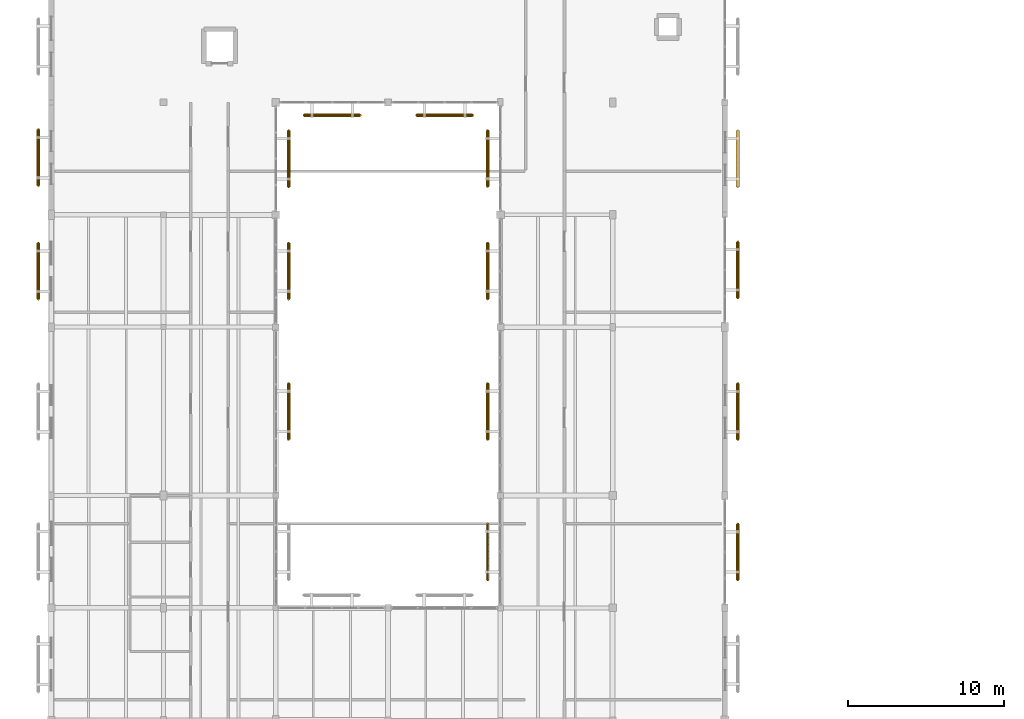
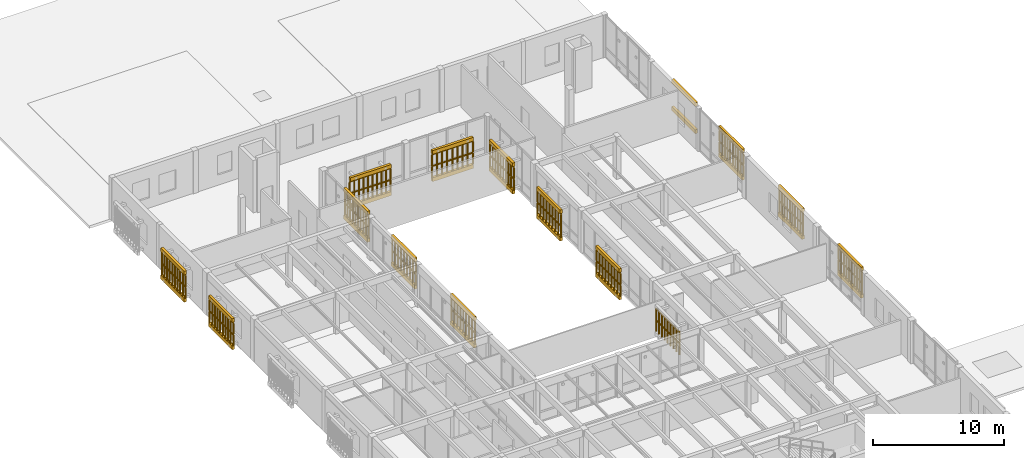
# One storey, part 58 of 61: 28 coverings, 28 railings.
"""IFC4 building model written with IfcOpenShell, lengths in metres."""

from ifc_helpers import new_model, si_unit, direction, frame, origin, origin_2d, place, context, subcontext, project, spatial, polyline, circle, outline, extrude, material, layer, layer_set, type_object, element, save


model = new_model("IFC4")

# Units and contexts
model_context = context("Model", 3, precision=1e-05, world=origin(), true_north=direction((0.0, 1.0)))
body_context = subcontext(model_context, "Body", "Model", "MODEL_VIEW")
ifc_project = project(units=[si_unit("LENGTHUNIT", "METRE"), si_unit("AREAUNIT", "SQUARE_METRE"), si_unit("VOLUMEUNIT", "CUBIC_METRE"), si_unit("PLANEANGLEUNIT", "RADIAN"), si_unit("MASSUNIT", "GRAM", prefix="KILO")], contexts=[model_context])

# Site, building, storey
site_placement = place(None, origin())
site = spatial("IfcSite", under=ifc_project, at=site_placement, CompositionType="ELEMENT")
building_placement = place(site_placement, origin())
building = spatial("IfcBuilding", under=site, at=building_placement, Name="Mazaris Harbour Polytechnic", CompositionType="ELEMENT")
storey_placement = place(building_placement, frame((0.0, 0.0, 18.0)))
storey = spatial("IfcBuildingStorey", under=building, at=storey_placement, Name="L04", CompositionType="ELEMENT", Elevation=18.0)

# Railings
ifc_material_1 = material(Name="Perforated Earth-Coloured Terracotta Block", Category="masonry")
railing_type = type_object("IfcRailingType", Name="Perforated Earth-Block Claustra Lattice 1040", PredefinedType="BALUSTRADE", material=ifc_material_1)
for number, where, name in (
    (1, (-0.820068359375, 55.784912109375, 0.52001953125), "V4 L04 Lower Perforated Terracotta Block Screen 312"),
    (2, (-0.820068359375, 55.784912109375, 1.610107421875), "V4 L04 Upper Perforated Terracotta Block Screen 312"),
    (3, (-0.820068359375, 63.06494140625, 0.52001953125), "V4 L04 Lower Perforated Terracotta Block Screen 313"),
    (4, (-0.820068359375, 63.06494140625, 1.610107421875), "V4 L04 Upper Perforated Terracotta Block Screen 313"),
):
    element("IfcRailing", number, at=place(storey_placement, frame(where)), inside=storey, type_object=railing_type, Name=name, PredefinedType="BALUSTRADE", context=body_context, shape_type="SweptSolid", body=[
        extrude(circle(Radius=0.06982421875, at=origin_2d()), frame((0.0, 0.0, 1.02001953125), z_axis=(0.0, 1.0, 0.0), x_axis=(-1.0, 0.0, 0.0)), (0.0, 0.0, 1.0), 3.60009765625),
        extrude(circle(Radius=0.074951171875, at=origin_2d()), origin(), (0.0, 0.0, 1.0), 0.9501953125),
        extrude(circle(Radius=0.074951171875, at=origin_2d()), frame((0.0, 0.39990234375, 0.0)), (0.0, 0.0, 1.0), 0.9501953125),
        extrude(circle(Radius=0.074951171875, at=origin_2d()), frame((0.0, 0.800048828125, 0.0)), (0.0, 0.0, 1.0), 0.9501953125),
        extrude(circle(Radius=0.074951171875, at=origin_2d()), frame((0.0, 1.199951171875, 0.0)), (0.0, 0.0, 1.0), 0.9501953125),
        extrude(circle(Radius=0.074951171875, at=origin_2d()), frame((0.0, 1.60009765625, 0.0)), (0.0, 0.0, 1.0), 0.9501953125),
        extrude(circle(Radius=0.074951171875, at=origin_2d()), frame((0.0, 2.0, 0.0)), (0.0, 0.0, 1.0), 0.9501953125),
        extrude(circle(Radius=0.074951171875, at=origin_2d()), frame((0.0, 2.400146484375, 0.0)), (0.0, 0.0, 1.0), 0.9501953125),
        extrude(circle(Radius=0.074951171875, at=origin_2d()), frame((0.0, 2.800048828125, 0.0)), (0.0, 0.0, 1.0), 0.9501953125),
        extrude(circle(Radius=0.074951171875, at=origin_2d()), frame((0.0, 3.2001953125, 0.0)), (0.0, 0.0, 1.0), 0.9501953125),
        extrude(circle(Radius=0.074951171875, at=origin_2d()), frame((0.0, 3.60009765625, 0.0)), (0.0, 0.0, 1.0), 0.9501953125),
    ])
for number, where, name in (
    (5, (44.02001953125, 41.385009765625, 0.52001953125), "V4 L04 Lower Perforated Terracotta Block Screen 319"),
    (6, (44.02001953125, 41.385009765625, 1.610107421875), "V4 L04 Upper Perforated Terracotta Block Screen 319"),
    (7, (44.02001953125, 50.385009765625, 0.52001953125), "V4 L04 Lower Perforated Terracotta Block Screen 320"),
    (8, (44.02001953125, 50.385009765625, 1.610107421875), "V4 L04 Upper Perforated Terracotta Block Screen 320"),
    (9, (44.02001953125, 59.465087890625, 0.52001953125), "V4 L04 Lower Perforated Terracotta Block Screen 321"),
    (10, (44.02001953125, 59.465087890625, 1.610107421875), "V4 L04 Upper Perforated Terracotta Block Screen 321"),
):
    element("IfcRailing", number, at=place(storey_placement, frame(where)), inside=storey, type_object=railing_type, Name=name, PredefinedType="BALUSTRADE", context=body_context, shape_type="SweptSolid", body=[
        extrude(circle(Radius=0.06982421875, at=origin_2d()), frame((0.0, 0.0, 1.02001953125), z_axis=(0.0, -1.0, 0.0), x_axis=(1.0, 0.0, 0.0)), (0.0, 0.0, 1.0), 3.60009765625),
        extrude(circle(Radius=0.074951171875, at=origin_2d()), origin(), (0.0, 0.0, 1.0), 0.9501953125),
        extrude(circle(Radius=0.074951171875, at=origin_2d()), frame((0.0, -0.39990234375, 0.0)), (0.0, 0.0, 1.0), 0.9501953125),
        extrude(circle(Radius=0.074951171875, at=origin_2d()), frame((0.0, -0.800048828125, 0.0)), (0.0, 0.0, 1.0), 0.9501953125),
        extrude(circle(Radius=0.074951171875, at=origin_2d()), frame((0.0, -1.199951171875, 0.0)), (0.0, 0.0, 1.0), 0.9501953125),
        extrude(circle(Radius=0.074951171875, at=origin_2d()), frame((0.0, -1.60009765625, 0.0)), (0.0, 0.0, 1.0), 0.9501953125),
        extrude(circle(Radius=0.074951171875, at=origin_2d()), frame((0.0, -2.0, 0.0)), (0.0, 0.0, 1.0), 0.9501953125),
        extrude(circle(Radius=0.074951171875, at=origin_2d()), frame((0.0, -2.400146484375, 0.0)), (0.0, 0.0, 1.0), 0.9501953125),
        extrude(circle(Radius=0.074951171875, at=origin_2d()), frame((0.0, -2.800048828125, 0.0)), (0.0, 0.0, 1.0), 0.9501953125),
        extrude(circle(Radius=0.074951171875, at=origin_2d()), frame((0.0, -3.2001953125, 0.0)), (0.0, 0.0, 1.0), 0.9501953125),
        extrude(circle(Radius=0.074951171875, at=origin_2d()), frame((0.0, -3.60009765625, 0.0)), (0.0, 0.0, 1.0), 0.9501953125),
    ])
for number, where, name in (
    (11, (19.81005859375, 67.580078125, 0.52001953125), "V4 L04 Lower Perforated Terracotta Block Screen 326"),
    (12, (19.81005859375, 67.580078125, 1.610107421875), "V4 L04 Upper Perforated Terracotta Block Screen 326"),
):
    element("IfcRailing", number, at=place(storey_placement, frame(where)), inside=storey, type_object=railing_type, Name=name, PredefinedType="BALUSTRADE", context=body_context, shape_type="SweptSolid", body=[
        extrude(circle(Radius=0.06982421875, at=origin_2d()), frame((0.0, 0.0, 1.02001953125), z_axis=(-1.0, 0.0, 0.0), x_axis=(0.0, -1.0, 0.0)), (0.0, 0.0, 1.0), 3.60009765625),
        extrude(circle(Radius=0.074951171875, at=origin_2d()), origin(), (0.0, 0.0, 1.0), 0.9501953125),
        extrude(circle(Radius=0.074951171875, at=origin_2d()), frame((-0.39990234375, 0.0, 0.0)), (0.0, 0.0, 1.0), 0.9501953125),
        extrude(circle(Radius=0.074951171875, at=origin_2d()), frame((-0.800048828125, 0.0, 0.0)), (0.0, 0.0, 1.0), 0.9501953125),
        extrude(circle(Radius=0.074951171875, at=origin_2d()), frame((-1.199951171875, 0.0, 0.0)), (0.0, 0.0, 1.0), 0.9501953125),
        extrude(circle(Radius=0.074951171875, at=origin_2d()), frame((-1.60009765625, 0.0, 0.0)), (0.0, 0.0, 1.0), 0.9501953125),
        extrude(circle(Radius=0.074951171875, at=origin_2d()), frame((-2.0, 0.0, 0.0)), (0.0, 0.0, 1.0), 0.9501953125),
        extrude(circle(Radius=0.074951171875, at=origin_2d()), frame((-2.400146484375, 0.0, 0.0)), (0.0, 0.0, 1.0), 0.9501953125),
        extrude(circle(Radius=0.074951171875, at=origin_2d()), frame((-2.800048828125, 0.0, 0.0)), (0.0, 0.0, 1.0), 0.9501953125),
        extrude(circle(Radius=0.074951171875, at=origin_2d()), frame((-3.2001953125, 0.0, 0.0)), (0.0, 0.0, 1.0), 0.9501953125),
        extrude(circle(Radius=0.074951171875, at=origin_2d()), frame((-3.60009765625, 0.0, 0.0)), (0.0, 0.0, 1.0), 0.9501953125),
    ])
for number, where, name in (
    (13, (27.02490234375, 67.580078125, 0.52001953125), "V4 L04 Lower Perforated Terracotta Block Screen 327"),
    (14, (27.02490234375, 67.580078125, 1.610107421875), "V4 L04 Upper Perforated Terracotta Block Screen 327"),
):
    element("IfcRailing", number, at=place(storey_placement, frame(where)), inside=storey, type_object=railing_type, Name=name, PredefinedType="BALUSTRADE", context=body_context, shape_type="SweptSolid", body=[
        extrude(circle(Radius=0.06982421875, at=origin_2d()), frame((0.0, 0.0, 1.02001953125), z_axis=(-1.0, 0.0, 0.0), x_axis=(0.0, -1.0, 0.0)), (0.0, 0.0, 1.0), 3.599853515625),
        extrude(circle(Radius=0.074951171875, at=origin_2d()), origin(), (0.0, 0.0, 1.0), 0.9501953125),
        extrude(circle(Radius=0.074951171875, at=origin_2d()), frame((-0.449951171875, 0.0, 0.0)), (0.0, 0.0, 1.0), 0.9501953125),
        extrude(circle(Radius=0.074951171875, at=origin_2d()), frame((-0.89990234375, 0.0, 0.0)), (0.0, 0.0, 1.0), 0.9501953125),
        extrude(circle(Radius=0.074951171875, at=origin_2d()), frame((-1.349853515625, 0.0, 0.0)), (0.0, 0.0, 1.0), 0.9501953125),
        extrude(circle(Radius=0.074951171875, at=origin_2d()), frame((-1.7998046875, 0.0, 0.0)), (0.0, 0.0, 1.0), 0.9501953125),
        extrude(circle(Radius=0.074951171875, at=origin_2d()), frame((-2.25, 0.0, 0.0)), (0.0, 0.0, 1.0), 0.9501953125),
        extrude(circle(Radius=0.074951171875, at=origin_2d()), frame((-2.699951171875, 0.0, 0.0)), (0.0, 0.0, 1.0), 0.9501953125),
        extrude(circle(Radius=0.074951171875, at=origin_2d()), frame((-3.14990234375, 0.0, 0.0)), (0.0, 0.0, 1.0), 0.9501953125),
        extrude(circle(Radius=0.074951171875, at=origin_2d()), frame((-3.599853515625, 0.0, 0.0)), (0.0, 0.0, 1.0), 0.9501953125),
    ])
for number, where, name in (
    (15, (15.219970703125, 46.7900390625, 0.52001953125), "V4 L04 Lower Perforated Terracotta Block Screen 329"),
    (16, (15.219970703125, 46.7900390625, 1.610107421875), "V4 L04 Upper Perforated Terracotta Block Screen 329"),
    (17, (15.219970703125, 55.7900390625, 0.52001953125), "V4 L04 Lower Perforated Terracotta Block Screen 330"),
    (18, (15.219970703125, 55.7900390625, 1.610107421875), "V4 L04 Upper Perforated Terracotta Block Screen 330"),
):
    element("IfcRailing", number, at=place(storey_placement, frame(where)), inside=storey, type_object=railing_type, Name=name, PredefinedType="BALUSTRADE", context=body_context, shape_type="SweptSolid", body=[
        extrude(circle(Radius=0.06982421875, at=origin_2d()), frame((0.0, 0.0, 1.02001953125), z_axis=(0.0, 1.0, 0.0), x_axis=(-1.0, 0.0, 0.0)), (0.0, 0.0, 1.0), 3.599853515625),
        extrude(circle(Radius=0.074951171875, at=origin_2d()), origin(), (0.0, 0.0, 1.0), 0.9501953125),
        extrude(circle(Radius=0.074951171875, at=origin_2d()), frame((0.0, 0.449951171875, 0.0)), (0.0, 0.0, 1.0), 0.9501953125),
        extrude(circle(Radius=0.074951171875, at=origin_2d()), frame((0.0, 0.89990234375, 0.0)), (0.0, 0.0, 1.0), 0.9501953125),
        extrude(circle(Radius=0.074951171875, at=origin_2d()), frame((0.0, 1.349853515625, 0.0)), (0.0, 0.0, 1.0), 0.9501953125),
        extrude(circle(Radius=0.074951171875, at=origin_2d()), frame((0.0, 1.7998046875, 0.0)), (0.0, 0.0, 1.0), 0.9501953125),
        extrude(circle(Radius=0.074951171875, at=origin_2d()), frame((0.0, 2.25, 0.0)), (0.0, 0.0, 1.0), 0.9501953125),
        extrude(circle(Radius=0.074951171875, at=origin_2d()), frame((0.0, 2.699951171875, 0.0)), (0.0, 0.0, 1.0), 0.9501953125),
        extrude(circle(Radius=0.074951171875, at=origin_2d()), frame((0.0, 3.14990234375, 0.0)), (0.0, 0.0, 1.0), 0.9501953125),
        extrude(circle(Radius=0.074951171875, at=origin_2d()), frame((0.0, 3.599853515625, 0.0)), (0.0, 0.0, 1.0), 0.9501953125),
    ])
for number, where, name in (
    (19, (15.219970703125, 62.989990234375, 0.52001953125), "V4 L04 Lower Perforated Terracotta Block Screen 331"),
    (20, (15.219970703125, 62.989990234375, 1.610107421875), "V4 L04 Upper Perforated Terracotta Block Screen 331"),
):
    element("IfcRailing", number, at=place(storey_placement, frame(where)), inside=storey, type_object=railing_type, Name=name, PredefinedType="BALUSTRADE", context=body_context, shape_type="SweptSolid", body=[
        extrude(circle(Radius=0.06982421875, at=origin_2d()), frame((0.0, 0.0, 1.02001953125), z_axis=(0.0, 1.0, 0.0), x_axis=(-1.0, 0.0, 0.0)), (0.0, 0.0, 1.0), 3.60009765625),
        extrude(circle(Radius=0.074951171875, at=origin_2d()), origin(), (0.0, 0.0, 1.0), 0.9501953125),
        extrude(circle(Radius=0.074951171875, at=origin_2d()), frame((0.0, 0.39990234375, 0.0)), (0.0, 0.0, 1.0), 0.9501953125),
        extrude(circle(Radius=0.074951171875, at=origin_2d()), frame((0.0, 0.800048828125, 0.0)), (0.0, 0.0, 1.0), 0.9501953125),
        extrude(circle(Radius=0.074951171875, at=origin_2d()), frame((0.0, 1.199951171875, 0.0)), (0.0, 0.0, 1.0), 0.9501953125),
        extrude(circle(Radius=0.074951171875, at=origin_2d()), frame((0.0, 1.60009765625, 0.0)), (0.0, 0.0, 1.0), 0.9501953125),
        extrude(circle(Radius=0.074951171875, at=origin_2d()), frame((0.0, 2.0, 0.0)), (0.0, 0.0, 1.0), 0.9501953125),
        extrude(circle(Radius=0.074951171875, at=origin_2d()), frame((0.0, 2.400146484375, 0.0)), (0.0, 0.0, 1.0), 0.9501953125),
        extrude(circle(Radius=0.074951171875, at=origin_2d()), frame((0.0, 2.800048828125, 0.0)), (0.0, 0.0, 1.0), 0.9501953125),
        extrude(circle(Radius=0.074951171875, at=origin_2d()), frame((0.0, 3.2001953125, 0.0)), (0.0, 0.0, 1.0), 0.9501953125),
        extrude(circle(Radius=0.074951171875, at=origin_2d()), frame((0.0, 3.60009765625, 0.0)), (0.0, 0.0, 1.0), 0.9501953125),
    ])
for number, where, name in (
    (21, (27.97998046875, 41.389892578125, 0.52001953125), "V4 L04 Lower Perforated Terracotta Block Screen 332"),
    (22, (27.97998046875, 41.389892578125, 1.610107421875), "V4 L04 Upper Perforated Terracotta Block Screen 332"),
    (23, (27.97998046875, 50.389892578125, 0.52001953125), "V4 L04 Lower Perforated Terracotta Block Screen 333"),
    (24, (27.97998046875, 50.389892578125, 1.610107421875), "V4 L04 Upper Perforated Terracotta Block Screen 333"),
    (25, (27.97998046875, 59.389892578125, 0.52001953125), "V4 L04 Lower Perforated Terracotta Block Screen 334"),
    (26, (27.97998046875, 59.389892578125, 1.610107421875), "V4 L04 Upper Perforated Terracotta Block Screen 334"),
):
    element("IfcRailing", number, at=place(storey_placement, frame(where)), inside=storey, type_object=railing_type, Name=name, PredefinedType="BALUSTRADE", context=body_context, shape_type="SweptSolid", body=[
        extrude(circle(Radius=0.06982421875, at=origin_2d()), frame((0.0, 0.0, 1.02001953125), z_axis=(0.0, -1.0, 0.0), x_axis=(1.0, 0.0, 0.0)), (0.0, 0.0, 1.0), 3.599853515625),
        extrude(circle(Radius=0.074951171875, at=origin_2d()), origin(), (0.0, 0.0, 1.0), 0.9501953125),
        extrude(circle(Radius=0.074951171875, at=origin_2d()), frame((0.0, -0.449951171875, 0.0)), (0.0, 0.0, 1.0), 0.9501953125),
        extrude(circle(Radius=0.074951171875, at=origin_2d()), frame((0.0, -0.89990234375, 0.0)), (0.0, 0.0, 1.0), 0.9501953125),
        extrude(circle(Radius=0.074951171875, at=origin_2d()), frame((0.0, -1.349853515625, 0.0)), (0.0, 0.0, 1.0), 0.9501953125),
        extrude(circle(Radius=0.074951171875, at=origin_2d()), frame((0.0, -1.7998046875, 0.0)), (0.0, 0.0, 1.0), 0.9501953125),
        extrude(circle(Radius=0.074951171875, at=origin_2d()), frame((0.0, -2.25, 0.0)), (0.0, 0.0, 1.0), 0.9501953125),
        extrude(circle(Radius=0.074951171875, at=origin_2d()), frame((0.0, -2.699951171875, 0.0)), (0.0, 0.0, 1.0), 0.9501953125),
        extrude(circle(Radius=0.074951171875, at=origin_2d()), frame((0.0, -3.14990234375, 0.0)), (0.0, 0.0, 1.0), 0.9501953125),
        extrude(circle(Radius=0.074951171875, at=origin_2d()), frame((0.0, -3.599853515625, 0.0)), (0.0, 0.0, 1.0), 0.9501953125),
    ])
for number, where, name in (
    (27, (27.97998046875, 66.60498046875, 0.52001953125), "V4 L04 Lower Perforated Terracotta Block Screen 335"),
    (28, (27.97998046875, 66.60498046875, 1.610107421875), "V4 L04 Upper Perforated Terracotta Block Screen 335"),
):
    element("IfcRailing", number, at=place(storey_placement, frame(where)), inside=storey, type_object=railing_type, Name=name, PredefinedType="BALUSTRADE", context=body_context, shape_type="SweptSolid", body=[
        extrude(circle(Radius=0.06982421875, at=origin_2d()), frame((0.0, 0.0, 1.02001953125), z_axis=(0.0, -1.0, 0.0), x_axis=(1.0, 0.0, 0.0)), (0.0, 0.0, 1.0), 3.60009765625),
        extrude(circle(Radius=0.074951171875, at=origin_2d()), origin(), (0.0, 0.0, 1.0), 0.9501953125),
        extrude(circle(Radius=0.074951171875, at=origin_2d()), frame((0.0, -0.39990234375, 0.0)), (0.0, 0.0, 1.0), 0.9501953125),
        extrude(circle(Radius=0.074951171875, at=origin_2d()), frame((0.0, -0.800048828125, 0.0)), (0.0, 0.0, 1.0), 0.9501953125),
        extrude(circle(Radius=0.074951171875, at=origin_2d()), frame((0.0, -1.199951171875, 0.0)), (0.0, 0.0, 1.0), 0.9501953125),
        extrude(circle(Radius=0.074951171875, at=origin_2d()), frame((0.0, -1.60009765625, 0.0)), (0.0, 0.0, 1.0), 0.9501953125),
        extrude(circle(Radius=0.074951171875, at=origin_2d()), frame((0.0, -2.0, 0.0)), (0.0, 0.0, 1.0), 0.9501953125),
        extrude(circle(Radius=0.074951171875, at=origin_2d()), frame((0.0, -2.400146484375, 0.0)), (0.0, 0.0, 1.0), 0.9501953125),
        extrude(circle(Radius=0.074951171875, at=origin_2d()), frame((0.0, -2.800048828125, 0.0)), (0.0, 0.0, 1.0), 0.9501953125),
        extrude(circle(Radius=0.074951171875, at=origin_2d()), frame((0.0, -3.2001953125, 0.0)), (0.0, 0.0, 1.0), 0.9501953125),
        extrude(circle(Radius=0.074951171875, at=origin_2d()), frame((0.0, -3.60009765625, 0.0)), (0.0, 0.0, 1.0), 0.9501953125),
    ])

# Coverings
ifc_material_2 = material(Name="Perforated Earth-Coloured Terracotta Block", Category="masonry")
ifc_layer = layer(ifc_material_2, 0.219970703125, Name="Perforated Earth-Coloured Terracotta Block")
ifc_layer_set = layer_set([ifc_layer], Name="Perforated Earth-Coloured Terracotta Block")
covering_type = type_object("IfcCoveringType", Name="Terracotta Screen Course Cladding 220", PredefinedType="CLADDING", material=ifc_layer_set)
covering_1_placement = place(storey_placement, frame((0.0, 0.0, 0.159912109375)))
element("IfcCovering", 29, at=covering_1_placement, inside=storey, type_object=covering_type, Name="V4 L04 Perforated Screen Sill Course 312", PredefinedType="CLADDING", context=body_context, shape_type="SweptSolid", body=[
    extrude(outline(polyline([(-0.7099609375, 55.784912109375), (-0.7099609375, 59.385009765625), (-0.929931640625, 59.385009765625), (-0.929931640625, 55.784912109375), (-0.7099609375, 55.784912109375)])), origin(), (0.0, 0.0, 1.0), 0.360107421875),
])
covering_2_placement = place(storey_placement, frame((0.0, 0.0, 2.699951171875)))
element("IfcCovering", 30, at=covering_2_placement, inside=storey, type_object=covering_type, Name="V4 L04 Perforated Screen Lintel Course 312", PredefinedType="CLADDING", context=body_context, shape_type="SweptSolid", body=[
    extrude(outline(polyline([(-0.7099609375, 55.784912109375), (-0.7099609375, 59.385009765625), (-0.929931640625, 59.385009765625), (-0.929931640625, 55.784912109375), (-0.7099609375, 55.784912109375)])), origin(), (0.0, 0.0, 1.0), 0.340087890625),
])
covering_3_placement = place(storey_placement, frame((0.0, 0.0, 0.159912109375)))
element("IfcCovering", 31, at=covering_3_placement, inside=storey, type_object=covering_type, Name="V4 L04 Perforated Screen Sill Course 313", PredefinedType="CLADDING", context=body_context, shape_type="SweptSolid", body=[
    extrude(outline(polyline([(-0.7099609375, 63.06494140625), (-0.7099609375, 66.6650390625), (-0.929931640625, 66.6650390625), (-0.929931640625, 63.06494140625), (-0.7099609375, 63.06494140625)])), origin(), (0.0, 0.0, 1.0), 0.360107421875),
])
covering_4_placement = place(storey_placement, frame((0.0, 0.0, 2.699951171875)))
element("IfcCovering", 32, at=covering_4_placement, inside=storey, type_object=covering_type, Name="V4 L04 Perforated Screen Lintel Course 313", PredefinedType="CLADDING", context=body_context, shape_type="SweptSolid", body=[
    extrude(outline(polyline([(-0.7099609375, 63.06494140625), (-0.7099609375, 66.6650390625), (-0.929931640625, 66.6650390625), (-0.929931640625, 63.06494140625), (-0.7099609375, 63.06494140625)])), origin(), (0.0, 0.0, 1.0), 0.340087890625),
])
covering_5_placement = place(storey_placement, frame((0.0, 0.0, 0.159912109375)))
element("IfcCovering", 33, at=covering_5_placement, inside=storey, type_object=covering_type, Name="V4 L04 Perforated Screen Sill Course 319", PredefinedType="CLADDING", context=body_context, shape_type="SweptSolid", body=[
    extrude(outline(polyline([(43.909912109375, 41.385009765625), (43.909912109375, 37.784912109375), (44.1298828125, 37.784912109375), (44.1298828125, 41.385009765625), (43.909912109375, 41.385009765625)])), origin(), (0.0, 0.0, 1.0), 0.360107421875),
])
covering_6_placement = place(storey_placement, frame((0.0, 0.0, 2.699951171875)))
element("IfcCovering", 34, at=covering_6_placement, inside=storey, type_object=covering_type, Name="V4 L04 Perforated Screen Lintel Course 319", PredefinedType="CLADDING", context=body_context, shape_type="SweptSolid", body=[
    extrude(outline(polyline([(43.909912109375, 41.385009765625), (43.909912109375, 37.784912109375), (44.1298828125, 37.784912109375), (44.1298828125, 41.385009765625), (43.909912109375, 41.385009765625)])), origin(), (0.0, 0.0, 1.0), 0.340087890625),
])
covering_7_placement = place(storey_placement, frame((0.0, 0.0, 0.159912109375)))
element("IfcCovering", 35, at=covering_7_placement, inside=storey, type_object=covering_type, Name="V4 L04 Perforated Screen Sill Course 320", PredefinedType="CLADDING", context=body_context, shape_type="SweptSolid", body=[
    extrude(outline(polyline([(43.909912109375, 50.385009765625), (43.909912109375, 46.784912109375), (44.1298828125, 46.784912109375), (44.1298828125, 50.385009765625), (43.909912109375, 50.385009765625)])), origin(), (0.0, 0.0, 1.0), 0.360107421875),
])
covering_8_placement = place(storey_placement, frame((0.0, 0.0, 2.699951171875)))
element("IfcCovering", 36, at=covering_8_placement, inside=storey, type_object=covering_type, Name="V4 L04 Perforated Screen Lintel Course 320", PredefinedType="CLADDING", context=body_context, shape_type="SweptSolid", body=[
    extrude(outline(polyline([(43.909912109375, 50.385009765625), (43.909912109375, 46.784912109375), (44.1298828125, 46.784912109375), (44.1298828125, 50.385009765625), (43.909912109375, 50.385009765625)])), origin(), (0.0, 0.0, 1.0), 0.340087890625),
])
covering_9_placement = place(storey_placement, frame((0.0, 0.0, 0.159912109375)))
element("IfcCovering", 37, at=covering_9_placement, inside=storey, type_object=covering_type, Name="V4 L04 Perforated Screen Sill Course 321", PredefinedType="CLADDING", context=body_context, shape_type="SweptSolid", body=[
    extrude(outline(polyline([(43.909912109375, 59.465087890625), (43.909912109375, 55.864990234375), (44.1298828125, 55.864990234375), (44.1298828125, 59.465087890625), (43.909912109375, 59.465087890625)])), origin(), (0.0, 0.0, 1.0), 0.360107421875),
])
covering_10_placement = place(storey_placement, frame((0.0, 0.0, 2.699951171875)))
element("IfcCovering", 38, at=covering_10_placement, inside=storey, type_object=covering_type, Name="V4 L04 Perforated Screen Lintel Course 321", PredefinedType="CLADDING", context=body_context, shape_type="SweptSolid", body=[
    extrude(outline(polyline([(43.909912109375, 59.465087890625), (43.909912109375, 55.864990234375), (44.1298828125, 55.864990234375), (44.1298828125, 59.465087890625), (43.909912109375, 59.465087890625)])), origin(), (0.0, 0.0, 1.0), 0.340087890625),
])
covering_11_placement = place(storey_placement, frame((0.0, 0.0, 0.159912109375)))
element("IfcCovering", 39, at=covering_11_placement, inside=storey, type_object=covering_type, Name="V4 L04 Perforated Screen Sill Course 322", PredefinedType="CLADDING", context=body_context, shape_type="SweptSolid", body=[
    extrude(outline(polyline([(43.909912109375, 66.590087890625), (43.909912109375, 62.989990234375), (44.1298828125, 62.989990234375), (44.1298828125, 66.590087890625), (43.909912109375, 66.590087890625)])), origin(), (0.0, 0.0, 1.0), 0.360107421875),
])
covering_12_placement = place(storey_placement, frame((0.0, 0.0, 2.699951171875)))
element("IfcCovering", 40, at=covering_12_placement, inside=storey, type_object=covering_type, Name="V4 L04 Perforated Screen Lintel Course 322", PredefinedType="CLADDING", context=body_context, shape_type="SweptSolid", body=[
    extrude(outline(polyline([(43.909912109375, 66.590087890625), (43.909912109375, 62.989990234375), (44.1298828125, 62.989990234375), (44.1298828125, 66.590087890625), (43.909912109375, 66.590087890625)])), origin(), (0.0, 0.0, 1.0), 0.340087890625),
])
covering_13_placement = place(storey_placement, frame((0.0, 0.0, 0.159912109375)))
element("IfcCovering", 41, at=covering_13_placement, inside=storey, type_object=covering_type, Name="V4 L04 Perforated Screen Sill Course 326", PredefinedType="CLADDING", context=body_context, shape_type="SweptSolid", body=[
    extrude(outline(polyline([(19.81005859375, 67.68994140625), (16.2099609375, 67.68994140625), (16.2099609375, 67.469970703125), (19.81005859375, 67.469970703125), (19.81005859375, 67.68994140625)])), origin(), (0.0, 0.0, 1.0), 0.360107421875),
])
covering_14_placement = place(storey_placement, frame((0.0, 0.0, 2.699951171875)))
element("IfcCovering", 42, at=covering_14_placement, inside=storey, type_object=covering_type, Name="V4 L04 Perforated Screen Lintel Course 326", PredefinedType="CLADDING", context=body_context, shape_type="SweptSolid", body=[
    extrude(outline(polyline([(19.81005859375, 67.68994140625), (16.2099609375, 67.68994140625), (16.2099609375, 67.469970703125), (19.81005859375, 67.469970703125), (19.81005859375, 67.68994140625)])), origin(), (0.0, 0.0, 1.0), 0.340087890625),
])
covering_15_placement = place(storey_placement, frame((0.0, 0.0, 0.159912109375)))
element("IfcCovering", 43, at=covering_15_placement, inside=storey, type_object=covering_type, Name="V4 L04 Perforated Screen Sill Course 327", PredefinedType="CLADDING", context=body_context, shape_type="SweptSolid", body=[
    extrude(outline(polyline([(27.02490234375, 67.68994140625), (23.425048828125, 67.68994140625), (23.425048828125, 67.469970703125), (27.02490234375, 67.469970703125), (27.02490234375, 67.68994140625)])), origin(), (0.0, 0.0, 1.0), 0.360107421875),
])
covering_16_placement = place(storey_placement, frame((0.0, 0.0, 2.699951171875)))
element("IfcCovering", 44, at=covering_16_placement, inside=storey, type_object=covering_type, Name="V4 L04 Perforated Screen Lintel Course 327", PredefinedType="CLADDING", context=body_context, shape_type="SweptSolid", body=[
    extrude(outline(polyline([(27.02490234375, 67.68994140625), (23.425048828125, 67.68994140625), (23.425048828125, 67.469970703125), (27.02490234375, 67.469970703125), (27.02490234375, 67.68994140625)])), origin(), (0.0, 0.0, 1.0), 0.340087890625),
])
covering_17_placement = place(storey_placement, frame((0.0, 0.0, 0.159912109375)))
element("IfcCovering", 45, at=covering_17_placement, inside=storey, type_object=covering_type, Name="V4 L04 Perforated Screen Sill Course 329", PredefinedType="CLADDING", context=body_context, shape_type="SweptSolid", body=[
    extrude(outline(polyline([(15.110107421875, 46.7900390625), (15.110107421875, 50.389892578125), (15.330078125, 50.389892578125), (15.330078125, 46.7900390625), (15.110107421875, 46.7900390625)])), origin(), (0.0, 0.0, 1.0), 0.360107421875),
])
covering_18_placement = place(storey_placement, frame((0.0, 0.0, 2.699951171875)))
element("IfcCovering", 46, at=covering_18_placement, inside=storey, type_object=covering_type, Name="V4 L04 Perforated Screen Lintel Course 329", PredefinedType="CLADDING", context=body_context, shape_type="SweptSolid", body=[
    extrude(outline(polyline([(15.110107421875, 46.7900390625), (15.110107421875, 50.389892578125), (15.330078125, 50.389892578125), (15.330078125, 46.7900390625), (15.110107421875, 46.7900390625)])), origin(), (0.0, 0.0, 1.0), 0.340087890625),
])
covering_19_placement = place(storey_placement, frame((0.0, 0.0, 0.159912109375)))
element("IfcCovering", 47, at=covering_19_placement, inside=storey, type_object=covering_type, Name="V4 L04 Perforated Screen Sill Course 330", PredefinedType="CLADDING", context=body_context, shape_type="SweptSolid", body=[
    extrude(outline(polyline([(15.110107421875, 55.7900390625), (15.110107421875, 59.389892578125), (15.330078125, 59.389892578125), (15.330078125, 55.7900390625), (15.110107421875, 55.7900390625)])), origin(), (0.0, 0.0, 1.0), 0.360107421875),
])
covering_20_placement = place(storey_placement, frame((0.0, 0.0, 2.699951171875)))
element("IfcCovering", 48, at=covering_20_placement, inside=storey, type_object=covering_type, Name="V4 L04 Perforated Screen Lintel Course 330", PredefinedType="CLADDING", context=body_context, shape_type="SweptSolid", body=[
    extrude(outline(polyline([(15.110107421875, 55.7900390625), (15.110107421875, 59.389892578125), (15.330078125, 59.389892578125), (15.330078125, 55.7900390625), (15.110107421875, 55.7900390625)])), origin(), (0.0, 0.0, 1.0), 0.340087890625),
])
covering_21_placement = place(storey_placement, frame((0.0, 0.0, 0.159912109375)))
element("IfcCovering", 49, at=covering_21_placement, inside=storey, type_object=covering_type, Name="V4 L04 Perforated Screen Sill Course 331", PredefinedType="CLADDING", context=body_context, shape_type="SweptSolid", body=[
    extrude(outline(polyline([(15.110107421875, 62.989990234375), (15.110107421875, 66.590087890625), (15.330078125, 66.590087890625), (15.330078125, 62.989990234375), (15.110107421875, 62.989990234375)])), origin(), (0.0, 0.0, 1.0), 0.360107421875),
])
covering_22_placement = place(storey_placement, frame((0.0, 0.0, 2.699951171875)))
element("IfcCovering", 50, at=covering_22_placement, inside=storey, type_object=covering_type, Name="V4 L04 Perforated Screen Lintel Course 331", PredefinedType="CLADDING", context=body_context, shape_type="SweptSolid", body=[
    extrude(outline(polyline([(15.110107421875, 62.989990234375), (15.110107421875, 66.590087890625), (15.330078125, 66.590087890625), (15.330078125, 62.989990234375), (15.110107421875, 62.989990234375)])), origin(), (0.0, 0.0, 1.0), 0.340087890625),
])
covering_23_placement = place(storey_placement, frame((0.0, 0.0, 0.159912109375)))
element("IfcCovering", 51, at=covering_23_placement, inside=storey, type_object=covering_type, Name="V4 L04 Perforated Screen Sill Course 333", PredefinedType="CLADDING", context=body_context, shape_type="SweptSolid", body=[
    extrude(outline(polyline([(28.090087890625, 50.389892578125), (28.090087890625, 46.7900390625), (27.8701171875, 46.7900390625), (27.8701171875, 50.389892578125), (28.090087890625, 50.389892578125)])), origin(), (0.0, 0.0, 1.0), 0.360107421875),
])
covering_24_placement = place(storey_placement, frame((0.0, 0.0, 2.699951171875)))
element("IfcCovering", 52, at=covering_24_placement, inside=storey, type_object=covering_type, Name="V4 L04 Perforated Screen Lintel Course 333", PredefinedType="CLADDING", context=body_context, shape_type="SweptSolid", body=[
    extrude(outline(polyline([(28.090087890625, 50.389892578125), (28.090087890625, 46.7900390625), (27.8701171875, 46.7900390625), (27.8701171875, 50.389892578125), (28.090087890625, 50.389892578125)])), origin(), (0.0, 0.0, 1.0), 0.340087890625),
])
covering_25_placement = place(storey_placement, frame((0.0, 0.0, 0.159912109375)))
element("IfcCovering", 53, at=covering_25_placement, inside=storey, type_object=covering_type, Name="V4 L04 Perforated Screen Sill Course 334", PredefinedType="CLADDING", context=body_context, shape_type="SweptSolid", body=[
    extrude(outline(polyline([(28.090087890625, 59.389892578125), (28.090087890625, 55.7900390625), (27.8701171875, 55.7900390625), (27.8701171875, 59.389892578125), (28.090087890625, 59.389892578125)])), origin(), (0.0, 0.0, 1.0), 0.360107421875),
])
covering_26_placement = place(storey_placement, frame((0.0, 0.0, 2.699951171875)))
element("IfcCovering", 54, at=covering_26_placement, inside=storey, type_object=covering_type, Name="V4 L04 Perforated Screen Lintel Course 334", PredefinedType="CLADDING", context=body_context, shape_type="SweptSolid", body=[
    extrude(outline(polyline([(28.090087890625, 59.389892578125), (28.090087890625, 55.7900390625), (27.8701171875, 55.7900390625), (27.8701171875, 59.389892578125), (28.090087890625, 59.389892578125)])), origin(), (0.0, 0.0, 1.0), 0.340087890625),
])
covering_27_placement = place(storey_placement, frame((0.0, 0.0, 0.159912109375)))
element("IfcCovering", 55, at=covering_27_placement, inside=storey, type_object=covering_type, Name="V4 L04 Perforated Screen Sill Course 335", PredefinedType="CLADDING", context=body_context, shape_type="SweptSolid", body=[
    extrude(outline(polyline([(28.090087890625, 66.60498046875), (28.090087890625, 63.0048828125), (27.8701171875, 63.0048828125), (27.8701171875, 66.60498046875), (28.090087890625, 66.60498046875)])), origin(), (0.0, 0.0, 1.0), 0.360107421875),
])
covering_28_placement = place(storey_placement, frame((0.0, 0.0, 2.699951171875)))
element("IfcCovering", 56, at=covering_28_placement, inside=storey, type_object=covering_type, Name="V4 L04 Perforated Screen Lintel Course 335", PredefinedType="CLADDING", context=body_context, shape_type="SweptSolid", body=[
    extrude(outline(polyline([(28.090087890625, 66.60498046875), (28.090087890625, 63.0048828125), (27.8701171875, 63.0048828125), (27.8701171875, 66.60498046875), (28.090087890625, 66.60498046875)])), origin(), (0.0, 0.0, 1.0), 0.340087890625),
])

save(model, "model.ifc")
